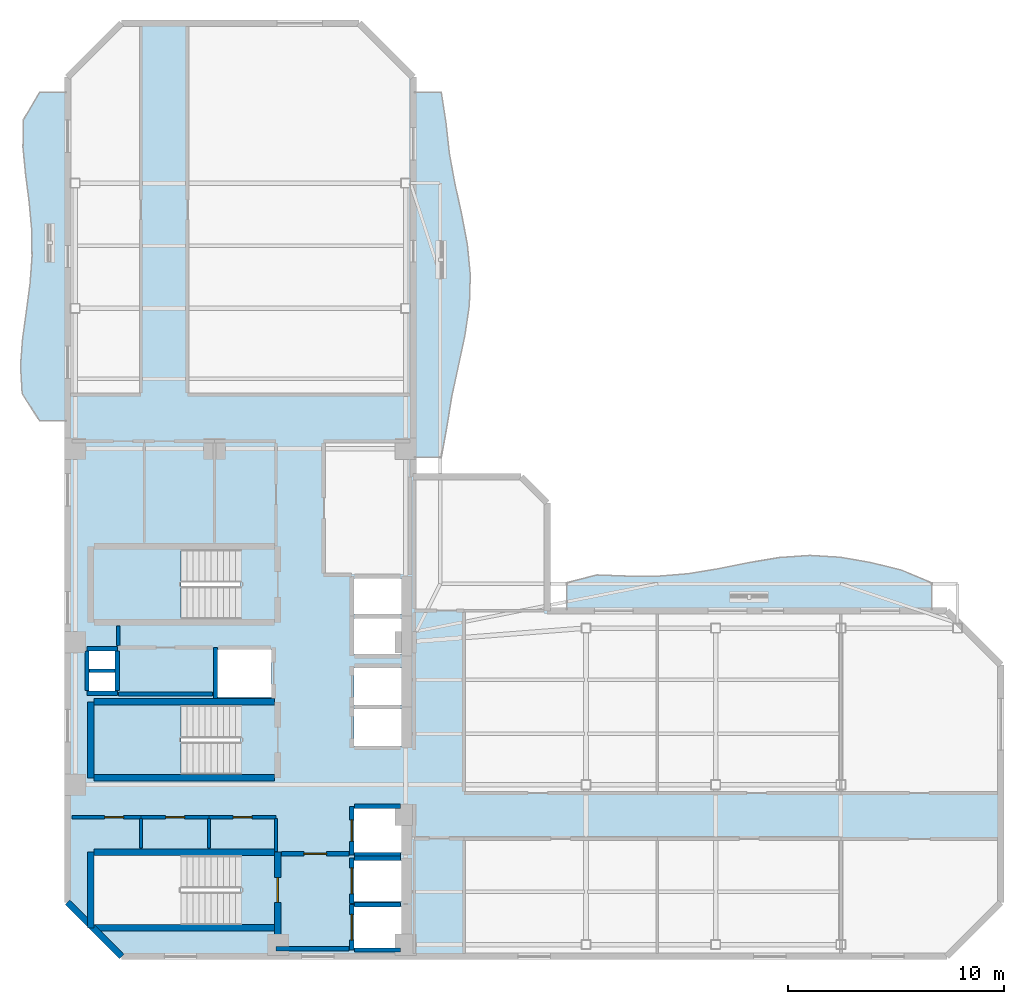
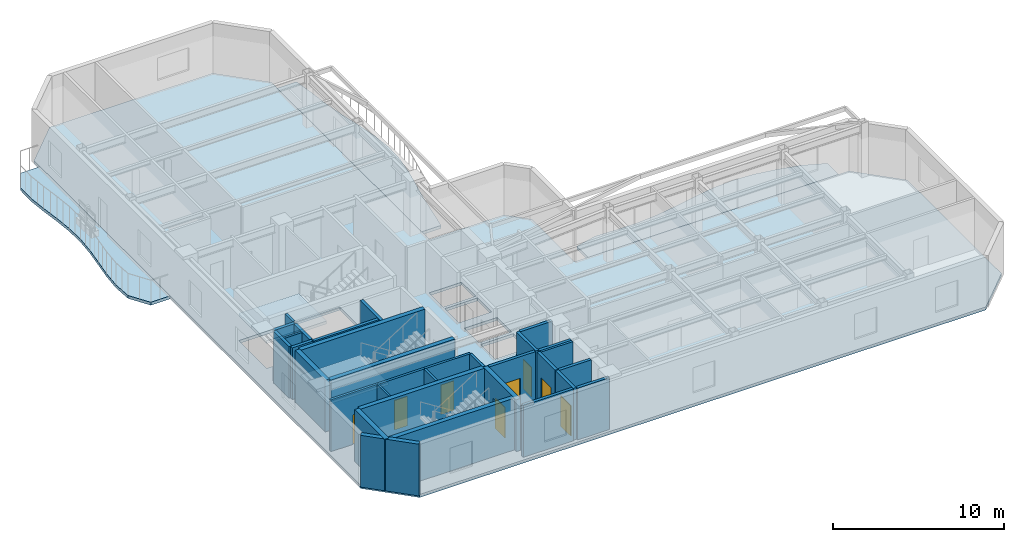
# One storey, part 2 of 8: 32 walls, 8 doors, 6 slabs, 8 openings, 2 elements without a shape of their own.
"""IFC4 building model written with IfcOpenShell, lengths in metres."""

from ifc_helpers import new_model, si_unit, direction, frame, frame_2d, origin, place, context, subcontext, project, spatial, polyline, rectangle, outline, extrude, material, layer, layer_set, type_object, element, fill, aggregate, save


model = new_model("IFC4")

# Units and contexts
model_context = context("Model", 3, precision=1e-05, world=origin(), true_north=direction((0.0, 1.0)))
body_context = subcontext(model_context, "Body", "Model", "MODEL_VIEW")
ifc_project = project(units=[si_unit("LENGTHUNIT", "METRE"), si_unit("AREAUNIT", "SQUARE_METRE"), si_unit("VOLUMEUNIT", "CUBIC_METRE"), si_unit("PLANEANGLEUNIT", "RADIAN"), si_unit("MASSUNIT", "GRAM", prefix="KILO")], contexts=[model_context])

# Site, building, storey
site_placement = place(None, origin())
site = spatial("IfcSite", under=ifc_project, at=site_placement, CompositionType="ELEMENT")
building_placement = place(site_placement, origin())
building = spatial("IfcBuilding", under=site, at=building_placement, Name="Mawjaban Terraces University", CompositionType="ELEMENT")
storey_placement = place(building_placement, frame((0.0, 0.0, 218.699951171875)))
storey = spatial("IfcBuildingStorey", under=building, at=storey_placement, Name="L53", CompositionType="ELEMENT", Elevation=218.699951171875)

# Slabs
ifc_material_1 = material(Name="Concrete C40/50", Category="concrete")
ifc_layer_1 = layer(ifc_material_1, 0.2099609375)
ifc_layer_set_1 = layer_set([ifc_layer_1], Name="Concrete C40/50")
slab_type_1 = type_object("IfcSlabType", Name="BalconySlab_210_Ext", PredefinedType="FLOOR", material=ifc_layer_set_1)
slab_1_placement = place(storey_placement, frame((0.0, 0.0, -0.2099609375)))
element("IfcSlab", 1, at=slab_1_placement, inside=storey, type_object=slab_type_1, Name="L53 Planted Balcony Slab west", PredefinedType="FLOOR", context=body_context, shape_type="SweptSolid", body=[
    extrude(outline(polyline([(22.010009765625, 24.800048828125), (22.010009765625, 40.0), (20.699951171875, 40.0), (19.95703125, 38.73291015625), (19.93505859375, 37.467041015625), (20.056884765625, 36.199951171875), (20.219970703125, 34.93310546875), (20.337890625, 33.6669921875), (20.35595703125, 32.39990234375), (20.262939453125, 31.133056640625), (20.093017578125, 29.866943359375), (19.9169921875, 28.60009765625), (19.822021484375, 27.3330078125), (19.89697265625, 26.06689453125), (20.699951171875, 24.800048828125), (22.010009765625, 24.800048828125)])), origin(), (0.0, 0.0, 1.0), 0.2099609375),
])
slab_2_placement = place(storey_placement, frame((0.0, 0.0, -0.2099609375)))
element("IfcSlab", 2, at=slab_2_placement, inside=storey, type_object=slab_type_1, Name="L53 Planted Balcony Slab inner_north", PredefinedType="FLOOR", context=body_context, shape_type="SweptSolid", body=[
    extrude(outline(polyline([(45.10009765625, 15.989990234375), (62.0, 15.989990234375), (62.0, 17.300048828125), (60.592041015625, 17.887939453125), (59.18310546875, 18.23388671875), (57.77490234375, 18.47998046875), (56.366943359375, 18.56396484375), (54.9580078125, 18.467041015625), (53.550048828125, 18.23291015625), (52.14208984375, 17.949951171875), (50.73291015625, 17.717041015625), (49.324951171875, 17.60107421875), (47.9169921875, 17.60693359375), (46.508056640625, 17.659912109375), (45.10009765625, 17.300048828125), (45.10009765625, 15.989990234375)])), origin(), (0.0, 0.0, 1.0), 0.2099609375),
])
slab_3_placement = place(storey_placement, frame((0.0, 0.0, -0.2099609375)))
element("IfcSlab", 3, at=slab_3_placement, inside=storey, type_object=slab_type_1, Name="L53 Planted Balcony Slab inner_east", PredefinedType="FLOOR", context=body_context, shape_type="SweptSolid", body=[
    extrude(outline(polyline([(39.300048828125, 23.10009765625), (39.556884765625, 24.508056640625), (39.783935546875, 25.9169921875), (40.0869140625, 27.324951171875), (40.389892578125, 28.73291015625), (40.59912109375, 30.14208984375), (40.64208984375, 31.550048828125), (40.506103515625, 32.9580078125), (40.239013671875, 34.366943359375), (39.929931640625, 35.77490234375), (39.672119140625, 37.18310546875), (39.51708984375, 38.592041015625), (39.300048828125, 40.0), (37.989990234375, 40.0), (37.989990234375, 23.10009765625), (39.300048828125, 23.10009765625)])), origin(), (0.0, 0.0, 1.0), 0.2099609375),
])
ifc_layer_2 = layer(ifc_material_1, 0.2099609375)
ifc_layer_set_2 = layer_set([ifc_layer_2], Name="Concrete C40/50")
slab_type_2 = type_object("IfcSlabType", Name="CompositeSlab_210", PredefinedType="FLOOR", material=ifc_layer_set_2)
slab_4_placement = place(storey_placement, frame((0.0, 0.0, -0.2099609375)))
element("IfcSlab", 4, at=slab_4_placement, inside=storey, type_object=slab_type_2, Name="L53 Primary Structural Slab", PredefinedType="FLOOR", context=body_context, shape_type="SweptSolid", body=[
    extrude(outline(polyline([(24.5, 0.0), (62.699951171875, 0.0), (65.199951171875, 2.5), (65.199951171875, 13.5), (62.699951171875, 16.0), (44.199951171875, 16.0), (44.199951171875, 21.0), (43.0, 22.199951171875), (38.0, 22.199951171875), (38.0, 40.699951171875), (35.5, 43.199951171875), (24.5, 43.199951171875), (22.0, 40.699951171875), (22.0, 2.5), (24.5, 0.0)]), holes=[polyline([(30.014892578125, 4.699951171875), (23.199951171875, 4.699951171875), (23.199951171875, 1.449951171875), (30.014892578125, 1.449951171875), (30.014892578125, 4.699951171875)]), polyline([(30.014892578125, 18.85009765625), (23.199951171875, 18.85009765625), (23.199951171875, 15.60009765625), (30.014892578125, 15.60009765625), (30.014892578125, 18.85009765625)]), polyline([(30.014892578125, 11.64990234375), (23.199951171875, 11.64990234375), (23.199951171875, 8.39990234375), (30.014892578125, 8.39990234375), (30.014892578125, 11.64990234375)]), polyline([(35.25, 0.39990234375), (37.449951171875, 0.39990234375), (37.449951171875, 2.300048828125), (35.25, 2.300048828125), (35.25, 0.39990234375)]), polyline([(35.25, 2.550048828125), (37.449951171875, 2.550048828125), (37.449951171875, 4.449951171875), (35.25, 4.449951171875), (35.25, 2.550048828125)]), polyline([(35.25, 4.800048828125), (37.449951171875, 4.800048828125), (37.449951171875, 6.85009765625), (35.25, 6.85009765625), (35.25, 4.800048828125)]), polyline([(35.25, 9.75), (37.449951171875, 9.75), (37.449951171875, 11.449951171875), (35.25, 11.449951171875), (35.25, 9.75)]), polyline([(35.25, 11.64990234375), (37.449951171875, 11.64990234375), (37.449951171875, 13.35009765625), (35.25, 13.35009765625), (35.25, 11.64990234375)]), polyline([(28.949951171875, 12.0), (31.449951171875, 12.0), (31.449951171875, 14.199951171875), (28.949951171875, 14.199951171875), (28.949951171875, 12.0)]), polyline([(35.25, 14.0), (37.449951171875, 14.0), (37.449951171875, 15.64990234375), (35.25, 15.64990234375), (35.25, 14.0)]), polyline([(35.25, 15.85009765625), (37.449951171875, 15.85009765625), (37.449951171875, 17.5), (35.25, 17.5), (35.25, 15.85009765625)]), polyline([(23.0, 12.25), (24.199951171875, 12.25), (24.199951171875, 13.14990234375), (23.0, 13.14990234375), (23.0, 12.25)]), polyline([(23.0, 13.300048828125), (24.199951171875, 13.300048828125), (24.199951171875, 14.179931640625), (23.0, 14.179931640625), (23.0, 13.300048828125)])]), origin(), (0.0, 0.0, 1.0), 0.2099609375),
])

# Stair, slab
stair_type = type_object("IfcStairType", Name="Stair_Core1550_H39", PredefinedType="HALF_TURN_STAIR", material=ifc_material_1)
stair_1_placement = place(storey_placement, origin())
stair_1 = element("IfcStair", 5, at=stair_1_placement, inside=storey, type_object=stair_type, Name="L53 Core Exit Stair 2", PredefinedType="HALF_TURN_STAIR")
ifc_layer_3 = layer(ifc_material_1, 0.199951171875)
ifc_layer_set_3 = layer_set([ifc_layer_3], Name="Concrete C40/50")
slab_type_3 = type_object("IfcSlabType", Name="StairLandingSlab_200", PredefinedType="LANDING", material=ifc_layer_set_3)
slab_5_placement = place(storey_placement, frame((0.0, 0.0, 1.75)))
slab_5 = element("IfcSlab", 6, at=slab_5_placement, type_object=slab_type_3, Name="ST-2 landing 1", PredefinedType="LANDING", context=body_context, shape_type="SweptSolid", body=[
    extrude(outline(polyline([(27.25, 18.85009765625), (23.199951171875, 18.85009765625), (23.199951171875, 15.60009765625), (27.25, 15.60009765625), (27.25, 18.85009765625)])), origin(), (0.0, 0.0, 1.0), 0.199951171875),
])
aggregate(stair_1, [slab_5])

stair_2_placement = place(storey_placement, origin())
stair_2 = element("IfcStair", 7, at=stair_2_placement, inside=storey, type_object=stair_type, Name="L53 Core Exit Stair 3", PredefinedType="HALF_TURN_STAIR")
slab_6_placement = place(storey_placement, frame((0.0, 0.0, 1.75)))
slab_6 = element("IfcSlab", 8, at=slab_6_placement, type_object=slab_type_3, Name="ST-3 landing 1", PredefinedType="LANDING", context=body_context, shape_type="SweptSolid", body=[
    extrude(outline(polyline([(27.25, 11.64990234375), (23.199951171875, 11.64990234375), (23.199951171875, 8.39990234375), (27.25, 8.39990234375), (27.25, 11.64990234375)])), origin(), (0.0, 0.0, 1.0), 0.199951171875),
])
aggregate(stair_2, [slab_6])

# Wall, opening, door
ifc_material_2 = material(Name="Fire-rated gypsum board on steel stud", Category="steel")
ifc_layer_4 = layer(ifc_material_2, 0.159912109375)
ifc_layer_set_4 = layer_set([ifc_layer_4], Name="Fire-rated gypsum board on steel stud")
wall_type_1 = type_object("IfcWallType", Name="CorridorPartition_160", PredefinedType="PARTITIONING", material=ifc_layer_set_4)
wall_1_placement = place(storey_placement, frame((22.199951171875, 6.449951171875, 0.0), z_axis=(0.0, 0.0, 1.0), x_axis=(1.0, 0.0, 0.0)))
wall_1 = element("IfcWall", 9, at=wall_1_placement, inside=storey, type_object=wall_type_1, Name="L53 Core Washroom Lobby Partition 1", PredefinedType="PARTITIONING", context=body_context, shape_type="SweptSolid", body=[
    extrude(rectangle(XDim=3.199951171875, YDim=0.159912109375, at=frame_2d((1.60009765625, 0.0))), origin(), (0.0, 0.0, 1.0), 3.68994140625),
])
opening_1_placement = place(wall_1_placement, frame((1.510009765625, 0.0, 0.0)))
opening_1 = element("IfcOpeningElement", 10, at=opening_1_placement, cuts=wall_1, Name="Opening ID-088", PredefinedType="OPENING", context=body_context, shape_type="SweptSolid", body=[
    extrude(rectangle(XDim=0.8798828125, YDim=2.10009765625, at=frame_2d((0.43994140625, 1.050048828125))), frame((0.0, 0.08984375, 0.0), z_axis=(0.0, -1.0, 0.0), x_axis=(1.0, 0.0, 0.0)), (0.0, 0.0, 1.0), 0.179931640625),
])
ifc_material_3 = material(Name="Powder-coated steel frame and solid acoustic timber leaf", Category="steel")
door_type_1 = type_object("IfcDoorType", Name="ToiletDoor_880x2100", OperationType="NOTDEFINED", PredefinedType="DOOR", material=ifc_material_3)
door_1_placement = place(opening_1_placement, origin())
door_1 = element("IfcDoor", 11, at=door_1_placement, inside=storey, type_object=door_type_1, Name="L53 Male Toilet Door", OperationType="SINGLE_SWING_LEFT", OverallHeight=2.10009765625, OverallWidth=0.8798828125, PredefinedType="DOOR", context=body_context, shape_type="SweptSolid", body=[
    extrude(rectangle(XDim=0.8798828125, YDim=2.10009765625, at=frame_2d((0.43994140625, 1.050048828125))), frame((0.0, 0.02490234375, 0.0), z_axis=(0.0, -1.0, 0.0), x_axis=(1.0, 0.0, 0.0)), (0.0, 0.0, 1.0), 0.050048828125),
])
fill(opening_1, door_1)

wall_2_placement = place(storey_placement, frame((25.39990234375, 6.449951171875, 0.0), z_axis=(0.0, 0.0, 1.0), x_axis=(1.0, 0.0, 0.0)))
wall_2 = element("IfcWall", 12, at=wall_2_placement, inside=storey, type_object=wall_type_1, Name="L53 Core Washroom Lobby Partition 4", PredefinedType="PARTITIONING", context=body_context, shape_type="SweptSolid", body=[
    extrude(rectangle(XDim=3.150146484375, YDim=0.159912109375, at=frame_2d((1.5751953125, 0.0))), origin(), (0.0, 0.0, 1.0), 3.68994140625),
])
opening_2_placement = place(wall_2_placement, frame((1.135009765625, 0.0, 0.0)))
opening_2 = element("IfcOpeningElement", 13, at=opening_2_placement, cuts=wall_2, Name="Opening ID-088", PredefinedType="OPENING", context=body_context, shape_type="SweptSolid", body=[
    extrude(rectangle(XDim=0.8798828125, YDim=2.10009765625, at=frame_2d((0.43994140625, 1.050048828125))), frame((0.0, 0.08984375, 0.0), z_axis=(0.0, -1.0, 0.0), x_axis=(1.0, 0.0, 0.0)), (0.0, 0.0, 1.0), 0.179931640625),
])
door_2_placement = place(opening_2_placement, origin())
door_2 = element("IfcDoor", 14, at=door_2_placement, inside=storey, type_object=door_type_1, Name="L53 Female Toilet Door", OperationType="SINGLE_SWING_RIGHT", OverallHeight=2.10009765625, OverallWidth=0.8798828125, PredefinedType="DOOR", context=body_context, shape_type="SweptSolid", body=[
    extrude(rectangle(XDim=0.8798828125, YDim=2.10009765625, at=frame_2d((0.43994140625, 1.050048828125))), frame((0.0, 0.02490234375, 0.0), z_axis=(0.0, -1.0, 0.0), x_axis=(1.0, 0.0, 0.0)), (0.0, 0.0, 1.0), 0.050048828125),
])
fill(opening_2, door_2)

wall_3_placement = place(storey_placement, frame((28.550048828125, 6.449951171875, 0.0), z_axis=(0.0, 0.0, 1.0), x_axis=(1.0, 0.0, 0.0)))
wall_3 = element("IfcWall", 15, at=wall_3_placement, inside=storey, type_object=wall_type_1, Name="L53 Core Washroom Lobby Partition 7", PredefinedType="PARTITIONING", context=body_context, shape_type="SweptSolid", body=[
    extrude(rectangle(XDim=3.099853515625, YDim=0.159912109375, at=frame_2d((1.5498046875, 0.0))), origin(), (0.0, 0.0, 1.0), 3.68994140625),
])
opening_3_placement = place(wall_3_placement, frame((1.110107421875, 0.0, 0.0)))
opening_3 = element("IfcOpeningElement", 16, at=opening_3_placement, cuts=wall_3, Name="Opening ID-088", PredefinedType="OPENING", context=body_context, shape_type="SweptSolid", body=[
    extrude(rectangle(XDim=0.8798828125, YDim=2.10009765625, at=frame_2d((0.43994140625, 1.050048828125))), frame((0.0, 0.08984375, 0.0), z_axis=(0.0, -1.0, 0.0), x_axis=(1.0, 0.0, 0.0)), (0.0, 0.0, 1.0), 0.179931640625),
])
door_3_placement = place(opening_3_placement, origin())
door_3 = element("IfcDoor", 17, at=door_3_placement, inside=storey, type_object=door_type_1, Name="L53 Accessible Toilet Door", OperationType="SINGLE_SWING_LEFT", OverallHeight=2.10009765625, OverallWidth=0.8798828125, PredefinedType="DOOR", context=body_context, shape_type="SweptSolid", body=[
    extrude(rectangle(XDim=0.8798828125, YDim=2.10009765625, at=frame_2d((0.43994140625, 1.050048828125))), frame((0.0, 0.02490234375, 0.0), z_axis=(0.0, -1.0, 0.0), x_axis=(1.0, 0.0, 0.0)), (0.0, 0.0, 1.0), 0.050048828125),
])
fill(opening_3, door_3)

# Walls
wall_4_placement = place(storey_placement, frame((24.35009765625, 15.2900390625, 0.0), z_axis=(0.0, 0.0, 1.0), x_axis=(0.0, -1.0, 0.0)))
element("IfcWall", 18, at=wall_4_placement, inside=storey, type_object=wall_type_1, Name="L53 Core Riser Access Passage Partition 24", PredefinedType="PARTITIONING", context=body_context, shape_type="SweptSolid", body=[
    extrude(rectangle(XDim=0.89501953125, YDim=0.159912109375, at=frame_2d((0.447509765625, 0.0))), origin(), (0.0, 0.0, 1.0), 3.68994140625),
])
wall_5_placement = place(storey_placement, frame((31.64990234375, 4.860107421875, 0.0), z_axis=(0.0, 0.0, 1.0), x_axis=(0.0, 1.0, 0.0)))
element("IfcWall", 19, at=wall_5_placement, inside=storey, type_object=wall_type_1, Name="L53 Accessible Toilet Partition 31", PredefinedType="PARTITIONING", context=body_context, shape_type="SweptSolid", body=[
    extrude(rectangle(XDim=1.514892578125, YDim=0.159912109375, at=frame_2d((0.75732421875, 0.0))), origin(), (0.0, 0.0, 1.0), 3.68994140625),
])
ifc_material_4 = material(Name="Insulated terracotta rainscreen on concrete backup C40/50", Category="masonry")
ifc_layer_5 = layer(ifc_material_4, 0.300048828125)
ifc_layer_set_5 = layer_set([ifc_layer_5], Name="Insulated terracotta rainscreen on concrete backup C40/50")
wall_type_2 = type_object("IfcWallType", Name="ExtTerracottaWall_300", PredefinedType="SOLIDWALL", material=ifc_layer_set_5)
wall_6_placement = place(storey_placement, frame((22.0, 2.5, 0.0), z_axis=(0.0, 0.0, 1.0), x_axis=(0.707106781187, -0.707106781187, 0.0)))
element("IfcWall", 20, at=wall_6_placement, inside=storey, type_object=wall_type_2, Name="L53 Exterior Terracotta Wall 14", PredefinedType="SOLIDWALL", context=body_context, shape_type="SweptSolid", body=[
    extrude(rectangle(XDim=3.53564453125, YDim=0.300048828125, at=frame_2d((1.767822265625, 0.0))), origin(), (0.0, 0.0, 1.0), 3.68994140625),
])

# Wall, opening, door
ifc_layer_6 = layer(ifc_material_1, 0.199951171875)
ifc_layer_set_6 = layer_set([ifc_layer_6], Name="Concrete C40/50")
wall_type_3 = type_object("IfcWallType", Name="FireLobbyWall_200", PredefinedType="SOLIDWALL", material=ifc_layer_set_6)
wall_7_placement = place(storey_placement, frame((35.14990234375, 2.39990234375, 0.0), z_axis=(0.0, 0.0, 1.0), x_axis=(0.0, -1.0, 0.0)))
wall_7 = element("IfcWall", 21, at=wall_7_placement, inside=storey, type_object=wall_type_3, Name="L53 Lift FL-1 Hoistway Wall West", PredefinedType="SOLIDWALL", context=body_context, shape_type="SweptSolid", body=[
    extrude(rectangle(XDim=2.099853515625, YDim=0.199951171875, at=frame_2d((1.0498046875, 0.0))), origin(), (0.0, 0.0, 1.0), 3.68994140625),
])
opening_4_placement = place(wall_7_placement, frame((0.449951171875, 0.0, 0.0)))
opening_4 = element("IfcOpeningElement", 22, at=opening_4_placement, cuts=wall_7, Name="Opening LD-FL-1", PredefinedType="OPENING", context=body_context, shape_type="SweptSolid", body=[
    extrude(rectangle(XDim=1.199951171875, YDim=2.14990234375, at=frame_2d((0.60009765625, 1.074951171875))), frame((0.0, 0.10986328125, 0.0), z_axis=(0.0, -1.0, 0.0), x_axis=(1.0, 0.0, 0.0)), (0.0, 0.0, 1.0), 0.219970703125),
])
ifc_material_5 = material(Name="Powder-coated steel frame and fire-rated steel-faced leaf", Category="steel")
door_type_2 = type_object("IfcDoorType", Name="LiftLandingFSAE_1200x2150", OperationType="NOTDEFINED", PredefinedType="DOOR", material=ifc_material_5)
door_4_placement = place(opening_4_placement, origin())
door_4 = element("IfcDoor", 23, at=door_4_placement, inside=storey, type_object=door_type_2, Name="L53 Lift FL-1 Sliding Landing Door", OperationType="DOUBLE_DOOR_SLIDING", OverallHeight=2.14990234375, OverallWidth=1.199951171875, PredefinedType="DOOR", context=body_context, shape_type="SweptSolid", body=[
    extrude(rectangle(XDim=1.199951171875, YDim=2.14990234375, at=frame_2d((0.60009765625, 1.074951171875))), frame((0.0, 0.02490234375, 0.0), z_axis=(0.0, -1.0, 0.0), x_axis=(1.0, 0.0, 0.0)), (0.0, 0.0, 1.0), 0.050048828125),
])
fill(opening_4, door_4)

# Walls
for number, where, z_axis, x_axis, name in (
    (24, (35.280029296875, 0.300048828125, 0.0), (0.0, 0.0, 1.0), (1.0, 0.0, 0.0), "L53 Lift FL-1 Hoistway Wall South"),
    (25, (37.419921875, 2.39990234375, 0.0), (0.0, 0.0, 1.0), (-1.0, 0.0, 0.0), "L53 Lift FL-1 Hoistway Wall North"),
):
    element("IfcWall", number, at=place(storey_placement, frame(where, z_axis=z_axis, x_axis=x_axis)), inside=storey, type_object=wall_type_3, Name=name, PredefinedType="SOLIDWALL", context=body_context, shape_type="SweptSolid", body=[
        extrude(rectangle(XDim=2.139892578125, YDim=0.199951171875, at=frame_2d((1.06982421875, 0.0))), origin(), (0.0, 0.0, 1.0), 3.68994140625),
    ])

# Wall, opening, door
wall_8_placement = place(storey_placement, frame((35.14990234375, 4.550048828125, 0.0), z_axis=(0.0, 0.0, 1.0), x_axis=(0.0, -1.0, 0.0)))
wall_8 = element("IfcWall", 26, at=wall_8_placement, inside=storey, type_object=wall_type_3, Name="L53 Lift FL-2 Hoistway Wall West", PredefinedType="SOLIDWALL", context=body_context, shape_type="SweptSolid", body=[
    extrude(rectangle(XDim=2.10009765625, YDim=0.199951171875, at=frame_2d((1.050048828125, 0.0))), origin(), (0.0, 0.0, 1.0), 3.68994140625),
])
opening_5_placement = place(wall_8_placement, frame((0.449951171875, 0.0, 0.0)))
opening_5 = element("IfcOpeningElement", 27, at=opening_5_placement, cuts=wall_8, Name="Opening LD-FL-2", PredefinedType="OPENING", context=body_context, shape_type="SweptSolid", body=[
    extrude(rectangle(XDim=1.199951171875, YDim=2.14990234375, at=frame_2d((0.60009765625, 1.074951171875))), frame((0.0, 0.10986328125, 0.0), z_axis=(0.0, -1.0, 0.0), x_axis=(1.0, 0.0, 0.0)), (0.0, 0.0, 1.0), 0.219970703125),
])
door_5_placement = place(opening_5_placement, origin())
door_5 = element("IfcDoor", 28, at=door_5_placement, inside=storey, type_object=door_type_2, Name="L53 Lift FL-2 Sliding Landing Door", OperationType="DOUBLE_DOOR_SLIDING", OverallHeight=2.14990234375, OverallWidth=1.199951171875, PredefinedType="DOOR", context=body_context, shape_type="SweptSolid", body=[
    extrude(rectangle(XDim=1.199951171875, YDim=2.14990234375, at=frame_2d((0.60009765625, 1.074951171875))), frame((0.0, 0.02490234375, 0.0), z_axis=(0.0, -1.0, 0.0), x_axis=(1.0, 0.0, 0.0)), (0.0, 0.0, 1.0), 0.050048828125),
])
fill(opening_5, door_5)

# Wall
wall_9_placement = place(storey_placement, frame((37.419921875, 4.550048828125, 0.0), z_axis=(0.0, 0.0, 1.0), x_axis=(-1.0, 0.0, 0.0)))
element("IfcWall", 29, at=wall_9_placement, inside=storey, type_object=wall_type_3, Name="L53 Lift FL-2 Hoistway Wall North", PredefinedType="SOLIDWALL", context=body_context, shape_type="SweptSolid", body=[
    extrude(rectangle(XDim=2.139892578125, YDim=0.199951171875, at=frame_2d((1.06982421875, 0.0))), origin(), (0.0, 0.0, 1.0), 3.68994140625),
])

# Wall, opening, door
wall_10_placement = place(storey_placement, frame((35.14990234375, 6.949951171875, 0.0), z_axis=(0.0, 0.0, 1.0), x_axis=(0.0, -1.0, 0.0)))
wall_10 = element("IfcWall", 30, at=wall_10_placement, inside=storey, type_object=wall_type_3, Name="L53 Lift SL-1 Hoistway Wall West", PredefinedType="SOLIDWALL", context=body_context, shape_type="SweptSolid", body=[
    extrude(rectangle(XDim=2.25, YDim=0.199951171875, at=frame_2d((1.125, 0.0))), origin(), (0.0, 0.0, 1.0), 3.68994140625),
])
opening_6_placement = place(wall_10_placement, frame((0.625, 0.0, 0.0)))
opening_6 = element("IfcOpeningElement", 31, at=opening_6_placement, cuts=wall_10, Name="Opening LD-SL-1", PredefinedType="OPENING", context=body_context, shape_type="SweptSolid", body=[
    extrude(rectangle(XDim=1.0, YDim=2.10009765625, at=frame_2d((0.5, 1.050048828125))), frame((0.0, 0.10986328125, 0.0), z_axis=(0.0, -1.0, 0.0), x_axis=(1.0, 0.0, 0.0)), (0.0, 0.0, 1.0), 0.219970703125),
])
door_type_3 = type_object("IfcDoorType", Name="LiftLandingSliding_1000x2100", OperationType="NOTDEFINED", PredefinedType="DOOR", material=ifc_material_5)
door_6_placement = place(opening_6_placement, origin())
door_6 = element("IfcDoor", 32, at=door_6_placement, inside=storey, type_object=door_type_3, Name="L53 Lift SL-1 Sliding Landing Door", OperationType="DOUBLE_DOOR_SLIDING", OverallHeight=2.10009765625, OverallWidth=1.0, PredefinedType="DOOR", context=body_context, shape_type="SweptSolid", body=[
    extrude(rectangle(XDim=1.0, YDim=2.10009765625, at=frame_2d((0.5, 1.050048828125))), frame((0.0, 0.02490234375, 0.0), z_axis=(0.0, -1.0, 0.0), x_axis=(1.0, 0.0, 0.0)), (0.0, 0.0, 1.0), 0.050048828125),
])
fill(opening_6, door_6)

# Walls
for number, where, z_axis, x_axis, name in (
    (33, (35.280029296875, 4.699951171875, 0.0), (0.0, 0.0, 1.0), (1.0, 0.0, 0.0), "L53 Lift SL-1 Hoistway Wall South"),
    (34, (37.419921875, 6.949951171875, 0.0), (0.0, 0.0, 1.0), (-1.0, 0.0, 0.0), "L53 Lift SL-1 Hoistway Wall North"),
):
    element("IfcWall", number, at=place(storey_placement, frame(where, z_axis=z_axis, x_axis=x_axis)), inside=storey, type_object=wall_type_3, Name=name, PredefinedType="SOLIDWALL", context=body_context, shape_type="SweptSolid", body=[
        extrude(rectangle(XDim=2.139892578125, YDim=0.199951171875, at=frame_2d((1.06982421875, 0.0))), origin(), (0.0, 0.0, 1.0), 3.68994140625),
    ])
wall_11_placement = place(storey_placement, frame((28.85009765625, 14.300048828125, 0.0), z_axis=(0.0, 0.0, 1.0), x_axis=(0.0, -1.0, 0.0)))
element("IfcWall", 35, at=wall_11_placement, inside=storey, type_object=wall_type_3, Name="L53 Lift PL-H3 Hoistway Wall West", PredefinedType="SOLIDWALL", context=body_context, shape_type="SweptSolid", body=[
    extrude(rectangle(XDim=2.3701171875, YDim=0.199951171875, at=frame_2d((1.18505859375, 0.0))), origin(), (0.0, 0.0, 1.0), 3.68994140625),
])
for number, where, z_axis, x_axis, name in (
    (36, (22.89990234375, 14.25, 0.0), (0.0, 0.0, 1.0), (1.0, 0.0, 0.0), "L53 MEP Riser Shaft Wall N"),
    (37, (22.89990234375, 12.179931640625, 0.0), (0.0, 0.0, 1.0), (1.0, 0.0, 0.0), "L53 MEP Riser Shaft Wall S"),
):
    element("IfcWall", number, at=place(storey_placement, frame(where, z_axis=z_axis, x_axis=x_axis)), inside=storey, type_object=wall_type_3, Name=name, PredefinedType="SOLIDWALL", context=body_context, shape_type="SweptSolid", body=[
        extrude(rectangle(XDim=1.400146484375, YDim=0.199951171875, at=frame_2d((0.7001953125, 0.0))), origin(), (0.0, 0.0, 1.0), 3.68994140625),
    ])
for number, where, z_axis, x_axis, name in (
    (38, (24.300048828125, 12.300048828125, 0.0), (0.0, 0.0, 1.0), (0.0, 1.0, 0.0), "L53 MEP Riser Shaft Wall E"),
    (39, (22.89990234375, 12.300048828125, 0.0), (0.0, 0.0, 1.0), (0.0, 1.0, 0.0), "L53 MEP Riser Shaft Wall W"),
):
    element("IfcWall", number, at=place(storey_placement, frame(where, z_axis=z_axis, x_axis=x_axis)), inside=storey, type_object=wall_type_3, Name=name, PredefinedType="SOLIDWALL", context=body_context, shape_type="SweptSolid", body=[
        extrude(rectangle(XDim=1.829833984375, YDim=0.199951171875, at=frame_2d((0.9150390625, 0.0))), origin(), (0.0, 0.0, 1.0), 3.68994140625),
    ])
wall_12_placement = place(storey_placement, frame((24.35009765625, 12.14990234375, 0.0), z_axis=(0.0, 0.0, 1.0), x_axis=(1.0, 0.0, 0.0)))
element("IfcWall", 40, at=wall_12_placement, inside=storey, type_object=wall_type_3, Name="L53 IT and Telecoms Riser Room Partition 2", PredefinedType="SOLIDWALL", context=body_context, shape_type="SweptSolid", body=[
    extrude(rectangle(XDim=4.369873046875, YDim=0.199951171875, at=frame_2d((2.18505859375, 0.0))), origin(), (0.0, 0.0, 1.0), 3.68994140625),
])
wall_13_placement = place(storey_placement, frame((31.64990234375, 0.35009765625, 0.0), z_axis=(0.0, 0.0, 1.0), x_axis=(1.0, 0.0, 0.0)))
element("IfcWall", 41, at=wall_13_placement, inside=storey, type_object=wall_type_3, Name="L53 Firefighting Lift Lobby Partition 9", PredefinedType="SOLIDWALL", context=body_context, shape_type="SweptSolid", body=[
    extrude(rectangle(XDim=3.3701171875, YDim=0.199951171875, at=frame_2d((1.68505859375, 0.0))), origin(), (0.0, 0.0, 1.0), 3.68994140625),
])

# Wall, opening, door
wall_14_placement = place(storey_placement, frame((35.02001953125, 4.75, 0.0), z_axis=(0.0, 0.0, 1.0), x_axis=(-1.0, 0.0, 0.0)))
wall_14 = element("IfcWall", 42, at=wall_14_placement, inside=storey, type_object=wall_type_3, Name="L53 Firefighting Lift Lobby Partition 12", PredefinedType="SOLIDWALL", context=body_context, shape_type="SweptSolid", body=[
    extrude(rectangle(XDim=3.110107421875, YDim=0.199951171875, at=frame_2d((1.55517578125, 0.0))), origin(), (0.0, 0.0, 1.0), 3.68994140625),
])
opening_7_placement = place(wall_14_placement, frame((1.030029296875, 0.0, 0.0)))
opening_7 = element("IfcOpeningElement", 43, at=opening_7_placement, cuts=wall_14, Name="Opening FD-105", PredefinedType="OPENING", context=body_context, shape_type="SweptSolid", body=[
    extrude(rectangle(XDim=1.050048828125, YDim=2.14990234375, at=frame_2d((0.52490234375, 1.074951171875))), frame((0.0, 0.10986328125, 0.0), z_axis=(0.0, -1.0, 0.0), x_axis=(1.0, 0.0, 0.0)), (0.0, 0.0, 1.0), 0.219970703125),
])
door_type_4 = type_object("IfcDoorType", Name="FireLobbyDoor_1050x2150", OperationType="NOTDEFINED", PredefinedType="DOOR", material=ifc_material_5)
door_7_placement = place(opening_7_placement, origin())
door_7 = element("IfcDoor", 44, at=door_7_placement, inside=storey, type_object=door_type_4, Name="L53 Firefighting Lift Lobby Door", OperationType="SINGLE_SWING_RIGHT", OverallHeight=2.14990234375, OverallWidth=1.050048828125, PredefinedType="DOOR", context=body_context, shape_type="SweptSolid", body=[
    extrude(rectangle(XDim=1.050048828125, YDim=2.14990234375, at=frame_2d((0.52490234375, 1.074951171875))), frame((0.0, 0.02490234375, 0.0), z_axis=(0.0, -1.0, 0.0), x_axis=(1.0, 0.0, 0.0)), (0.0, 0.0, 1.0), 0.050048828125),
])
fill(opening_7, door_7)

# Walls
ifc_material_6 = material(Name="Moisture-resistant gypsum board on steel stud", Category="steel")
ifc_layer_7 = layer(ifc_material_6, 0.14501953125)
ifc_layer_set_7 = layer_set([ifc_layer_7], Name="Moisture-resistant gypsum board on steel stud")
wall_type_4 = type_object("IfcWallType", Name="LabPartition_145", PredefinedType="PARTITIONING", material=ifc_layer_set_7)
wall_15_placement = place(storey_placement, frame((23.010009765625, 13.22509765625, 0.0), z_axis=(0.0, 0.0, 1.0), x_axis=(1.0, 0.0, 0.0)))
element("IfcWall", 45, at=wall_15_placement, inside=storey, type_object=wall_type_4, Name="L53 MEP Riser Shaft Wall M", PredefinedType="PARTITIONING", context=body_context, shape_type="SweptSolid", body=[
    extrude(rectangle(XDim=1.179931640625, YDim=0.14501953125, at=frame_2d((0.58984375, 0.0))), origin(), (0.0, 0.0, 1.0), 3.68994140625),
])
ifc_material_7 = material(Name="Concrete C60/75", Category="concrete")
ifc_layer_8 = layer(ifc_material_7, 0.300048828125)
ifc_layer_set_8 = layer_set([ifc_layer_8], Name="Concrete C60/75")
wall_type_5 = type_object("IfcWallType", Name="StairShaftWall_300", PredefinedType="SHEAR", material=ifc_layer_set_8)
wall_16_placement = place(storey_placement, frame((31.580078125, 4.830078125, 0.0), z_axis=(0.0, 0.0, 1.0), x_axis=(-1.0, 0.0, 0.0)))
element("IfcWall", 46, at=wall_16_placement, inside=storey, type_object=wall_type_5, Name="L53 ST-1 Stair Shaft Wall 1", PredefinedType="SHEAR", context=body_context, shape_type="SweptSolid", body=[
    extrude(rectangle(XDim=8.360107421875, YDim=0.300048828125, at=frame_2d((4.18017578125, 0.0))), origin(), (0.0, 0.0, 1.0), 3.68994140625),
])
wall_17_placement = place(storey_placement, frame((23.070068359375, 4.830078125, 0.0), z_axis=(0.0, 0.0, 1.0), x_axis=(0.0, -1.0, 0.0)))
element("IfcWall", 47, at=wall_17_placement, inside=storey, type_object=wall_type_5, Name="L53 ST-1 Stair Shaft Wall 2", PredefinedType="SHEAR", context=body_context, shape_type="SweptSolid", body=[
    extrude(rectangle(XDim=3.510009765625, YDim=0.300048828125, at=frame_2d((1.7548828125, 0.0))), origin(), (0.0, 0.0, 1.0), 3.68994140625),
])
wall_18_placement = place(storey_placement, frame((23.219970703125, 1.320068359375, 0.0), z_axis=(0.0, 0.0, 1.0), x_axis=(1.0, 0.0, 0.0)))
element("IfcWall", 48, at=wall_18_placement, inside=storey, type_object=wall_type_5, Name="L53 ST-1 Stair Shaft Wall 3", PredefinedType="SHEAR", context=body_context, shape_type="SweptSolid", body=[
    extrude(rectangle(XDim=8.360107421875, YDim=0.300048828125, at=frame_2d((4.18017578125, 0.0))), origin(), (0.0, 0.0, 1.0), 3.68994140625),
])

# Wall, opening, door
wall_19_placement = place(storey_placement, frame((31.72998046875, 0.9599609375, 0.0), z_axis=(0.0, 0.0, 1.0), x_axis=(0.0, 1.0, 0.0)))
wall_19 = element("IfcWall", 49, at=wall_19_placement, inside=storey, type_object=wall_type_5, Name="L53 ST-1 Stair Shaft Wall 4", PredefinedType="SHEAR", context=body_context, shape_type="SweptSolid", body=[
    extrude(rectangle(XDim=3.8701171875, YDim=0.300048828125, at=frame_2d((1.93505859375, 0.0))), origin(), (0.0, 0.0, 1.0), 3.68994140625),
])
opening_8_placement = place(wall_19_placement, frame((1.5400390625, 0.0, 0.0)))
opening_8 = element("IfcOpeningElement", 50, at=opening_8_placement, cuts=wall_19, Name="Opening FD-115", PredefinedType="OPENING", context=body_context, shape_type="SweptSolid", body=[
    extrude(rectangle(XDim=1.14990234375, YDim=2.14990234375, at=frame_2d((0.574951171875, 1.074951171875))), frame((0.0, 0.159912109375, 0.0), z_axis=(0.0, -1.0, 0.0), x_axis=(1.0, 0.0, 0.0)), (0.0, 0.0, 1.0), 0.320068359375),
])
door_type_5 = type_object("IfcDoorType", Name="FireStairDoor_1150x2150", OperationType="NOTDEFINED", PredefinedType="DOOR", material=ifc_material_5)
door_8_placement = place(opening_8_placement, origin())
door_8 = element("IfcDoor", 51, at=door_8_placement, inside=storey, type_object=door_type_5, Name="L53 ST-1 Pressurised Stair Fire Door", OperationType="SINGLE_SWING_LEFT", OverallHeight=2.14990234375, OverallWidth=1.14990234375, PredefinedType="DOOR", context=body_context, shape_type="SweptSolid", body=[
    extrude(rectangle(XDim=1.14990234375, YDim=2.14990234375, at=frame_2d((0.574951171875, 1.074951171875))), frame((0.0, 0.02490234375, 0.0), z_axis=(0.0, -1.0, 0.0), x_axis=(1.0, 0.0, 0.0)), (0.0, 0.0, 1.0), 0.050048828125),
])
fill(opening_8, door_8)

# Walls
wall_20_placement = place(storey_placement, frame((31.580078125, 11.780029296875, 0.0), z_axis=(0.0, 0.0, 1.0), x_axis=(-1.0, 0.0, 0.0)))
element("IfcWall", 52, at=wall_20_placement, inside=storey, type_object=wall_type_5, Name="L53 ST-3 Stair Shaft Wall 1", PredefinedType="SHEAR", context=body_context, shape_type="SweptSolid", body=[
    extrude(rectangle(XDim=8.360107421875, YDim=0.300048828125, at=frame_2d((4.18017578125, 0.0))), origin(), (0.0, 0.0, 1.0), 3.68994140625),
])
wall_21_placement = place(storey_placement, frame((23.070068359375, 11.780029296875, 0.0), z_axis=(0.0, 0.0, 1.0), x_axis=(0.0, -1.0, 0.0)))
element("IfcWall", 53, at=wall_21_placement, inside=storey, type_object=wall_type_5, Name="L53 ST-3 Stair Shaft Wall 2", PredefinedType="SHEAR", context=body_context, shape_type="SweptSolid", body=[
    extrude(rectangle(XDim=3.510009765625, YDim=0.300048828125, at=frame_2d((1.7548828125, 0.0))), origin(), (0.0, 0.0, 1.0), 3.68994140625),
])
wall_22_placement = place(storey_placement, frame((23.219970703125, 8.27001953125, 0.0), z_axis=(0.0, 0.0, 1.0), x_axis=(1.0, 0.0, 0.0)))
element("IfcWall", 54, at=wall_22_placement, inside=storey, type_object=wall_type_5, Name="L53 ST-3 Stair Shaft Wall 3", PredefinedType="SHEAR", context=body_context, shape_type="SweptSolid", body=[
    extrude(rectangle(XDim=8.360107421875, YDim=0.300048828125, at=frame_2d((4.18017578125, 0.0))), origin(), (0.0, 0.0, 1.0), 3.68994140625),
])
ifc_material_8 = material(Name="Cement-board wet-room partition", Category="masonry")
ifc_layer_9 = layer(ifc_material_8, 0.135009765625)
ifc_layer_set_9 = layer_set([ifc_layer_9], Name="Cement-board wet-room partition")
wall_type_6 = type_object("IfcWallType", Name="WetRoomPartition_135", PredefinedType="PARTITIONING", material=ifc_layer_set_9)
for number, where, z_axis, x_axis, name in (
    (55, (25.39990234375, 5.010009765625, 0.0), (0.0, 0.0, 1.0), (0.0, 1.0, 0.0), "L53 Male Toilet Partition 25"),
    (56, (28.550048828125, 5.010009765625, 0.0), (0.0, 0.0, 1.0), (0.0, 1.0, 0.0), "L53 Female Toilet Partition 29"),
):
    element("IfcWall", number, at=place(storey_placement, frame(where, z_axis=z_axis, x_axis=x_axis)), inside=storey, type_object=wall_type_6, Name=name, PredefinedType="PARTITIONING", context=body_context, shape_type="SweptSolid", body=[
        extrude(rectangle(XDim=1.364990234375, YDim=0.135009765625, at=frame_2d((0.6826171875, 0.0))), origin(), (0.0, 0.0, 1.0), 3.68994140625),
    ])

save(model, "model.ifc")
